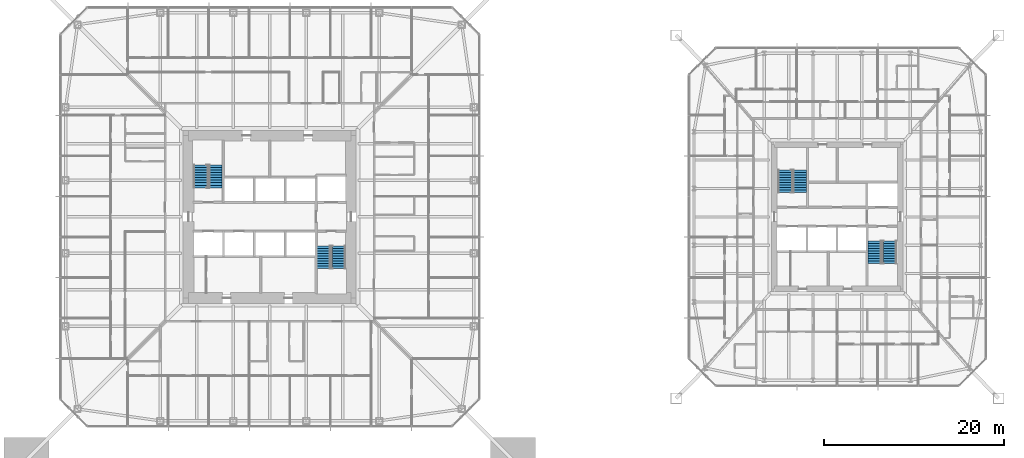
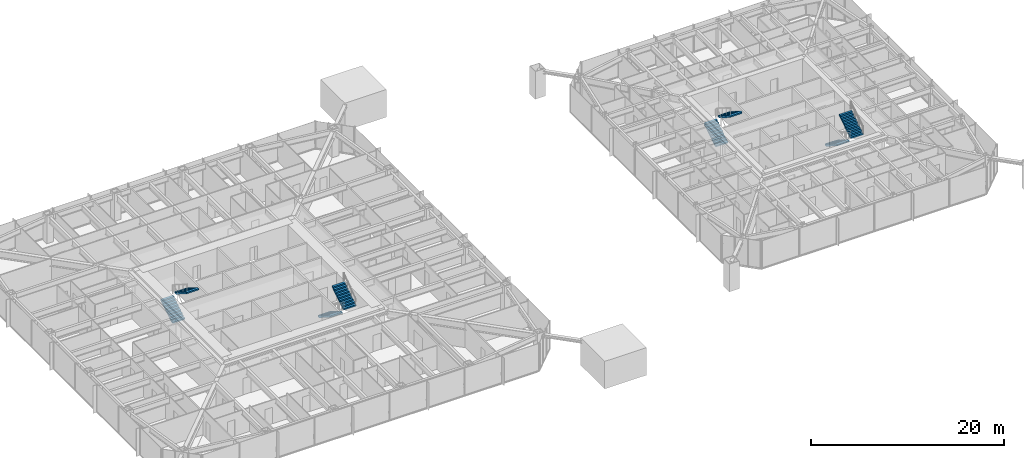
# One storey, part 22 of 26: 8 stair flights, 4 elements without a shape of their own.
"""IFC4 building model written with IfcOpenShell, lengths in metres."""

from ifc_helpers import new_model, si_unit, direction, frame, origin, place, context, subcontext, project, spatial, polyline, outline, extrude, material, constituent, constituent_set, type_object, element, aggregate, save


model = new_model("IFC4")

# Units and contexts
model_context = context("Model", 3, precision=1e-05, world=origin(), true_north=direction((0.0, 1.0)))
body_context = subcontext(model_context, "Body", "Model", "MODEL_VIEW")
ifc_project = project(units=[si_unit("LENGTHUNIT", "METRE"), si_unit("AREAUNIT", "SQUARE_METRE"), si_unit("VOLUMEUNIT", "CUBIC_METRE"), si_unit("PLANEANGLEUNIT", "RADIAN"), si_unit("MASSUNIT", "GRAM", prefix="KILO")], contexts=[model_context])

# Site, building, storey
site_placement = place(None, origin())
site = spatial("IfcSite", under=ifc_project, at=site_placement, CompositionType="ELEMENT")
building_placement = place(site_placement, origin())
building = spatial("IfcBuilding", under=site, at=building_placement, Name="Iwan Alto Co-Living Towers", CompositionType="ELEMENT")
storey_placement = place(building_placement, frame((0.0, 0.0, 39.5)))
storey = spatial("IfcBuildingStorey", under=building, at=storey_placement, Name="L10", CompositionType="ELEMENT", Elevation=39.5)

# Stair, stair flights
ifc_material_1 = material(Name="Steel ASTM A36", Category="steel")
ifc_constituent_1 = constituent(ifc_material_1, Name="Stringers", Category="LoadBearing")
ifc_material_2 = material(Name="Concrete f'c 30 MPa", Category="concrete")
ifc_constituent_2 = constituent(ifc_material_2, Name="Tread fill", Category="Finish")
ifc_constituent_set_1 = constituent_set(constituents=[ifc_constituent_1, ifc_constituent_2], Name="STAIR 3500 TWO-FLIGHT T1 CORE")
stair_type_1 = type_object("IfcStairType", Name="STAIR 3500 TWO-FLIGHT T1 CORE", PredefinedType="HALF_TURN_STAIR", material=ifc_constituent_set_1)
stair_1_placement = place(storey_placement, origin())
stair_1 = element("IfcStair", 1, at=stair_1_placement, inside=storey, type_object=stair_type_1, Name="Stair T1-S1 L10 to L11", PredefinedType="HALF_TURN_STAIR")
ifc_constituent_3 = constituent(ifc_material_1, Name="Stringers", Category="LoadBearing")
ifc_constituent_4 = constituent(ifc_material_2, Name="Tread fill", Category="Finish")
ifc_constituent_set_2 = constituent_set(constituents=[ifc_constituent_3, ifc_constituent_4], Name="STAIR FLIGHT 10 RISERS 280 GOING")
stair_flight_type = type_object("IfcStairFlightType", Name="STAIR FLIGHT 10 RISERS 280 GOING", PredefinedType="STRAIGHT", material=ifc_constituent_set_2)
stair_flight_1_placement = place(storey_placement, frame((-7.68994140625, 3.219970703125, 0.0), z_axis=(0.0, 0.0, 1.0), x_axis=(0.0, 1.0, 0.0)))
stair_flight_1 = element("IfcStairFlight", 2, at=stair_flight_1_placement, type_object=stair_flight_type, Name="T1-S1 flight 1", NumberOfRisers=10, NumberOfTreads=9, PredefinedType="STRAIGHT", RiserHeight=0.175, TreadLength=0.28, context=body_context, shape_type="SweptSolid", body=[
    extrude(outline(polyline([(0.0, 0.0), (0.0, 0.175048828125), (0.280029296875, 0.175048828125), (0.280029296875, 0.35009765625), (0.56005859375, 0.35009765625), (0.56005859375, 0.52490234375), (0.840087890625, 0.52490234375), (0.840087890625, 0.699951171875), (1.1201171875, 0.699951171875), (1.1201171875, 0.875), (1.39990234375, 0.875), (1.39990234375, 1.050048828125), (1.679931640625, 1.050048828125), (1.679931640625, 1.22509765625), (1.9599609375, 1.22509765625), (1.9599609375, 1.39990234375), (2.239990234375, 1.39990234375), (2.239990234375, 1.574951171875), (2.52001953125, 1.574951171875), (2.52001953125, 1.75), (2.52001953125, 1.398193359375), (0.28271484375, 0.0), (0.0, 0.0)])), frame((0.0, 0.739990234375, 0.0), z_axis=(0.0, -1.0, 0.0), x_axis=(1.0, 0.0, 0.0)), (0.0, 0.0, 1.0), 1.47998046875),
])
stair_flight_2_placement = place(storey_placement, frame((-6.010009765625, 5.739990234375, 1.75), z_axis=(0.0, 0.0, 1.0), x_axis=(0.0, -1.0, 0.0)))
stair_flight_2 = element("IfcStairFlight", 3, at=stair_flight_2_placement, type_object=stair_flight_type, Name="T1-S1 flight 2", NumberOfRisers=10, NumberOfTreads=9, PredefinedType="STRAIGHT", RiserHeight=0.175, TreadLength=0.28, context=body_context, shape_type="SweptSolid", body=[
    extrude(outline(polyline([(0.0, 0.0), (0.0, 0.175048828125), (0.280029296875, 0.175048828125), (0.280029296875, 0.35009765625), (0.56005859375, 0.35009765625), (0.56005859375, 0.52490234375), (0.840087890625, 0.52490234375), (0.840087890625, 0.699951171875), (1.1201171875, 0.699951171875), (1.1201171875, 0.875), (1.39990234375, 0.875), (1.39990234375, 1.050048828125), (1.679931640625, 1.050048828125), (1.679931640625, 1.22509765625), (1.9599609375, 1.22509765625), (1.9599609375, 1.39990234375), (2.239990234375, 1.39990234375), (2.239990234375, 1.574951171875), (2.52001953125, 1.574951171875), (2.52001953125, 1.75), (2.52001953125, 1.398193359375), (0.28271484375, 0.0), (0.0, 0.0)])), frame((0.0, 0.739990234375, 0.0), z_axis=(0.0, -1.0, 0.0), x_axis=(1.0, 0.0, 0.0)), (0.0, 0.0, 1.0), 1.47998046875),
])
aggregate(stair_1, [stair_flight_1, stair_flight_2])

stair_2_placement = place(storey_placement, origin())
stair_2 = element("IfcStair", 4, at=stair_2_placement, inside=storey, type_object=stair_type_1, Name="Stair T1-S2 L10 to L11", PredefinedType="HALF_TURN_STAIR")
stair_flight_3_placement = place(storey_placement, frame((6.010009765625, -3.219970703125, 0.0), z_axis=(0.0, 0.0, 1.0), x_axis=(0.0, -1.0, 0.0)))
stair_flight_3 = element("IfcStairFlight", 5, at=stair_flight_3_placement, type_object=stair_flight_type, Name="T1-S2 flight 1", NumberOfRisers=10, NumberOfTreads=9, PredefinedType="STRAIGHT", RiserHeight=0.175, TreadLength=0.28, context=body_context, shape_type="SweptSolid", body=[
    extrude(outline(polyline([(0.0, 0.0), (0.0, 0.175048828125), (0.280029296875, 0.175048828125), (0.280029296875, 0.35009765625), (0.56005859375, 0.35009765625), (0.56005859375, 0.52490234375), (0.840087890625, 0.52490234375), (0.840087890625, 0.699951171875), (1.1201171875, 0.699951171875), (1.1201171875, 0.875), (1.39990234375, 0.875), (1.39990234375, 1.050048828125), (1.679931640625, 1.050048828125), (1.679931640625, 1.22509765625), (1.9599609375, 1.22509765625), (1.9599609375, 1.39990234375), (2.239990234375, 1.39990234375), (2.239990234375, 1.574951171875), (2.52001953125, 1.574951171875), (2.52001953125, 1.75), (2.52001953125, 1.398193359375), (0.28271484375, 0.0), (0.0, 0.0)])), frame((0.0, 0.739990234375, 0.0), z_axis=(0.0, -1.0, 0.0), x_axis=(1.0, 0.0, 0.0)), (0.0, 0.0, 1.0), 1.47998046875),
])
stair_flight_4_placement = place(storey_placement, frame((7.68994140625, -5.739990234375, 1.75), z_axis=(0.0, 0.0, 1.0), x_axis=(0.0, 1.0, 0.0)))
stair_flight_4 = element("IfcStairFlight", 6, at=stair_flight_4_placement, type_object=stair_flight_type, Name="T1-S2 flight 2", NumberOfRisers=10, NumberOfTreads=9, PredefinedType="STRAIGHT", RiserHeight=0.175, TreadLength=0.28, context=body_context, shape_type="SweptSolid", body=[
    extrude(outline(polyline([(0.0, 0.0), (0.0, 0.175048828125), (0.280029296875, 0.175048828125), (0.280029296875, 0.35009765625), (0.56005859375, 0.35009765625), (0.56005859375, 0.52490234375), (0.840087890625, 0.52490234375), (0.840087890625, 0.699951171875), (1.1201171875, 0.699951171875), (1.1201171875, 0.875), (1.39990234375, 0.875), (1.39990234375, 1.050048828125), (1.679931640625, 1.050048828125), (1.679931640625, 1.22509765625), (1.9599609375, 1.22509765625), (1.9599609375, 1.39990234375), (2.239990234375, 1.39990234375), (2.239990234375, 1.574951171875), (2.52001953125, 1.574951171875), (2.52001953125, 1.75), (2.52001953125, 1.398193359375), (0.28271484375, 0.0), (0.0, 0.0)])), frame((0.0, 0.739990234375, 0.0), z_axis=(0.0, -1.0, 0.0), x_axis=(1.0, 0.0, 0.0)), (0.0, 0.0, 1.0), 1.47998046875),
])
aggregate(stair_2, [stair_flight_3, stair_flight_4])

ifc_constituent_5 = constituent(ifc_material_1, Name="Stringers", Category="LoadBearing")
ifc_constituent_6 = constituent(ifc_material_2, Name="Tread fill", Category="Finish")
ifc_constituent_set_3 = constituent_set(constituents=[ifc_constituent_5, ifc_constituent_6], Name="STAIR 3500 TWO-FLIGHT T2 CORE")
stair_type_2 = type_object("IfcStairType", Name="STAIR 3500 TWO-FLIGHT T2 CORE", PredefinedType="HALF_TURN_STAIR", material=ifc_constituent_set_3)
stair_3_placement = place(storey_placement, origin())
stair_3 = element("IfcStair", 7, at=stair_3_placement, inside=storey, type_object=stair_type_2, Name="Stair T2-S1 L10 to L11", PredefinedType="HALF_TURN_STAIR")
stair_flight_5_placement = place(storey_placement, frame((57.159912109375, 2.669921875, 0.0), z_axis=(0.0, 0.0, 1.0), x_axis=(0.0, 1.0, 0.0)))
stair_flight_5 = element("IfcStairFlight", 8, at=stair_flight_5_placement, type_object=stair_flight_type, Name="T2-S1 flight 1", NumberOfRisers=10, NumberOfTreads=9, PredefinedType="STRAIGHT", RiserHeight=0.175, TreadLength=0.28, context=body_context, shape_type="SweptSolid", body=[
    extrude(outline(polyline([(0.0, 0.0), (0.0, 0.175048828125), (0.280029296875, 0.175048828125), (0.280029296875, 0.35009765625), (0.56005859375, 0.35009765625), (0.56005859375, 0.52490234375), (0.840087890625, 0.52490234375), (0.840087890625, 0.699951171875), (1.1201171875, 0.699951171875), (1.1201171875, 0.875), (1.39990234375, 0.875), (1.39990234375, 1.050048828125), (1.679931640625, 1.050048828125), (1.679931640625, 1.22509765625), (1.9599609375, 1.22509765625), (1.9599609375, 1.39990234375), (2.239990234375, 1.39990234375), (2.239990234375, 1.574951171875), (2.52001953125, 1.574951171875), (2.52001953125, 1.75), (2.52001953125, 1.398193359375), (0.28271484375, 0.0), (0.0, 0.0)])), frame((0.0, 0.739990234375, 0.0), z_axis=(0.0, -1.0, 0.0), x_axis=(1.0, 0.0, 0.0)), (0.0, 0.0, 1.0), 1.47998046875),
])
stair_flight_6_placement = place(storey_placement, frame((58.840087890625, 5.18994140625, 1.75), z_axis=(0.0, 0.0, 1.0), x_axis=(0.0, -1.0, 0.0)))
stair_flight_6 = element("IfcStairFlight", 9, at=stair_flight_6_placement, type_object=stair_flight_type, Name="T2-S1 flight 2", NumberOfRisers=10, NumberOfTreads=9, PredefinedType="STRAIGHT", RiserHeight=0.175, TreadLength=0.28, context=body_context, shape_type="SweptSolid", body=[
    extrude(outline(polyline([(0.0, 0.0), (0.0, 0.175048828125), (0.280029296875, 0.175048828125), (0.280029296875, 0.35009765625), (0.56005859375, 0.35009765625), (0.56005859375, 0.52490234375), (0.840087890625, 0.52490234375), (0.840087890625, 0.699951171875), (1.1201171875, 0.699951171875), (1.1201171875, 0.875), (1.39990234375, 0.875), (1.39990234375, 1.050048828125), (1.679931640625, 1.050048828125), (1.679931640625, 1.22509765625), (1.9599609375, 1.22509765625), (1.9599609375, 1.39990234375), (2.239990234375, 1.39990234375), (2.239990234375, 1.574951171875), (2.52001953125, 1.574951171875), (2.52001953125, 1.75), (2.52001953125, 1.398193359375), (0.28271484375, 0.0), (0.0, 0.0)])), frame((0.0, 0.739990234375, 0.0), z_axis=(0.0, -1.0, 0.0), x_axis=(1.0, 0.0, 0.0)), (0.0, 0.0, 1.0), 1.47998046875),
])
aggregate(stair_3, [stair_flight_5, stair_flight_6])

stair_4_placement = place(storey_placement, origin())
stair_4 = element("IfcStair", 10, at=stair_4_placement, inside=storey, type_object=stair_type_2, Name="Stair T2-S2 L10 to L11", PredefinedType="HALF_TURN_STAIR")
stair_flight_7_placement = place(storey_placement, frame((67.159912109375, -2.669921875, 0.0), z_axis=(0.0, 0.0, 1.0), x_axis=(0.0, -1.0, 0.0)))
stair_flight_7 = element("IfcStairFlight", 11, at=stair_flight_7_placement, type_object=stair_flight_type, Name="T2-S2 flight 1", NumberOfRisers=10, NumberOfTreads=9, PredefinedType="STRAIGHT", RiserHeight=0.175, TreadLength=0.28, context=body_context, shape_type="SweptSolid", body=[
    extrude(outline(polyline([(0.0, 0.0), (0.0, 0.175048828125), (0.280029296875, 0.175048828125), (0.280029296875, 0.35009765625), (0.56005859375, 0.35009765625), (0.56005859375, 0.52490234375), (0.840087890625, 0.52490234375), (0.840087890625, 0.699951171875), (1.1201171875, 0.699951171875), (1.1201171875, 0.875), (1.39990234375, 0.875), (1.39990234375, 1.050048828125), (1.679931640625, 1.050048828125), (1.679931640625, 1.22509765625), (1.9599609375, 1.22509765625), (1.9599609375, 1.39990234375), (2.239990234375, 1.39990234375), (2.239990234375, 1.574951171875), (2.52001953125, 1.574951171875), (2.52001953125, 1.75), (2.52001953125, 1.398193359375), (0.28271484375, 0.0), (0.0, 0.0)])), frame((0.0, 0.739990234375, 0.0), z_axis=(0.0, -1.0, 0.0), x_axis=(1.0, 0.0, 0.0)), (0.0, 0.0, 1.0), 1.47998046875),
])
stair_flight_8_placement = place(storey_placement, frame((68.840087890625, -5.18994140625, 1.75), z_axis=(0.0, 0.0, 1.0), x_axis=(0.0, 1.0, 0.0)))
stair_flight_8 = element("IfcStairFlight", 12, at=stair_flight_8_placement, type_object=stair_flight_type, Name="T2-S2 flight 2", NumberOfRisers=10, NumberOfTreads=9, PredefinedType="STRAIGHT", RiserHeight=0.175, TreadLength=0.28, context=body_context, shape_type="SweptSolid", body=[
    extrude(outline(polyline([(0.0, 0.0), (0.0, 0.175048828125), (0.280029296875, 0.175048828125), (0.280029296875, 0.35009765625), (0.56005859375, 0.35009765625), (0.56005859375, 0.52490234375), (0.840087890625, 0.52490234375), (0.840087890625, 0.699951171875), (1.1201171875, 0.699951171875), (1.1201171875, 0.875), (1.39990234375, 0.875), (1.39990234375, 1.050048828125), (1.679931640625, 1.050048828125), (1.679931640625, 1.22509765625), (1.9599609375, 1.22509765625), (1.9599609375, 1.39990234375), (2.239990234375, 1.39990234375), (2.239990234375, 1.574951171875), (2.52001953125, 1.574951171875), (2.52001953125, 1.75), (2.52001953125, 1.398193359375), (0.28271484375, 0.0), (0.0, 0.0)])), frame((0.0, 0.739990234375, 0.0), z_axis=(0.0, -1.0, 0.0), x_axis=(1.0, 0.0, 0.0)), (0.0, 0.0, 1.0), 1.47998046875),
])
aggregate(stair_4, [stair_flight_7, stair_flight_8])

save(model, "model.ifc")
